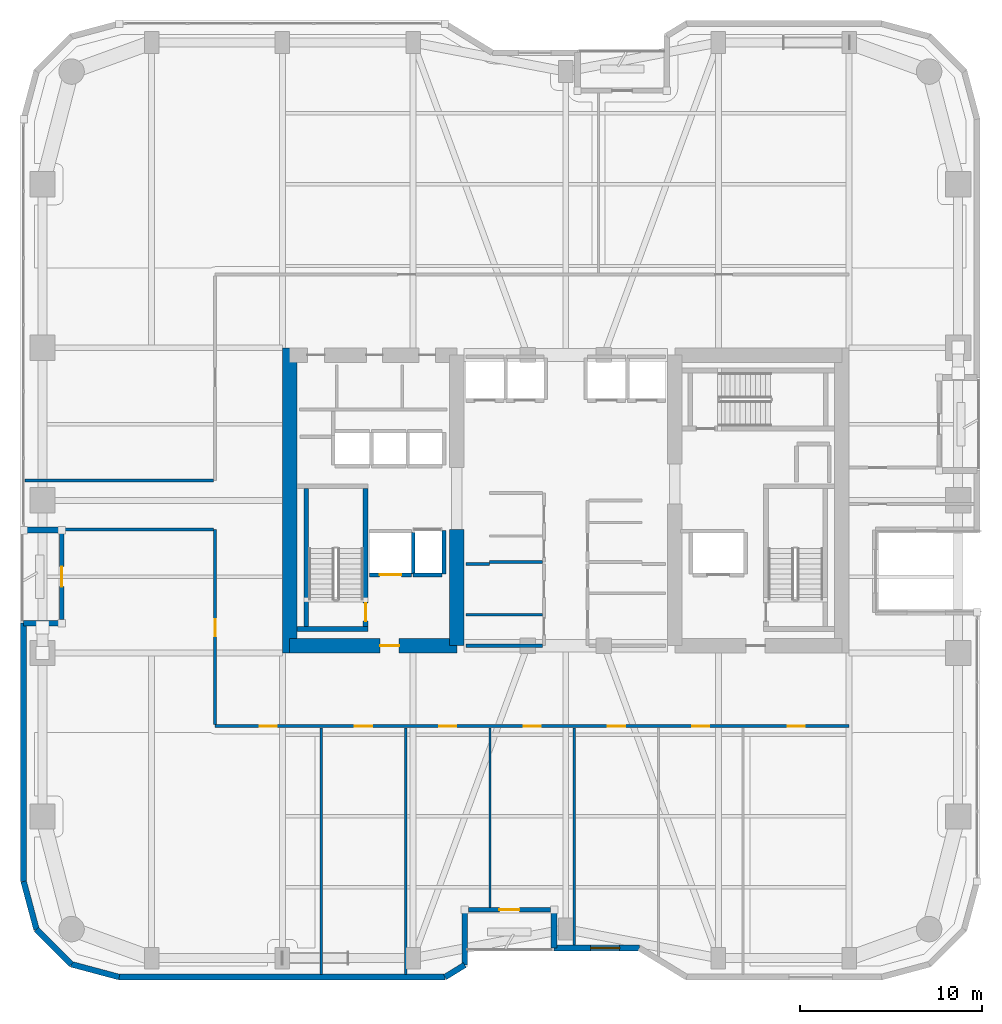
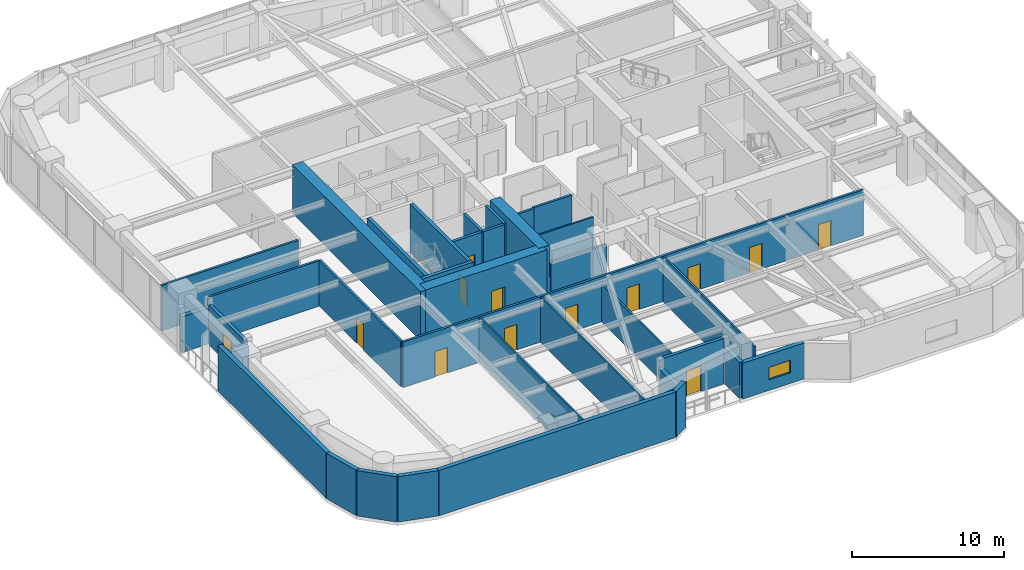
# One storey, part 18 of 24: 35 walls, 13 doors, 1 window, 14 openings.
"""IFC4 building model written with IfcOpenShell, lengths in metres."""

from ifc_helpers import new_model, si_unit, direction, frame, frame_2d, origin, place, context, subcontext, project, spatial, rectangle, extrude, material, layer, layer_set, type_object, element, fill, save


model = new_model("IFC4")

# Units and contexts
model_context = context("Model", 3, precision=1e-05, world=origin(), true_north=direction((0.0, 1.0)))
body_context = subcontext(model_context, "Body", "Model", "MODEL_VIEW")
ifc_project = project(units=[si_unit("LENGTHUNIT", "METRE"), si_unit("AREAUNIT", "SQUARE_METRE"), si_unit("VOLUMEUNIT", "CUBIC_METRE"), si_unit("PLANEANGLEUNIT", "RADIAN"), si_unit("MASSUNIT", "GRAM", prefix="KILO")], contexts=[model_context])

# Site, building, storey
site_placement = place(None, origin())
site = spatial("IfcSite", under=ifc_project, at=site_placement, CompositionType="ELEMENT")
building_placement = place(site_placement, origin())
building = spatial("IfcBuilding", under=site, at=building_placement, Name="Kiyonajd Concourse Tower", CompositionType="ELEMENT")
storey_placement = place(building_placement, frame((0.0, 0.0, 129.89990234375)))
storey = spatial("IfcBuildingStorey", under=building, at=storey_placement, Name="L33", CompositionType="ELEMENT", Elevation=129.89990234375)

# Walls
ifc_material_1 = material(Name="Concrete C70/85", Category="concrete")
ifc_layer_1 = layer(ifc_material_1, 0.800048828125)
ifc_layer_set_1 = layer_set([ifc_layer_1], Name="Concrete C70/85")
wall_type_1 = type_object("IfcWallType", Name="WL-CORE-800", PredefinedType="SHEAR", material=ifc_layer_set_1)
wall_1_placement = place(storey_placement, frame((32.800048828125, 27.60009765625, 0.0), z_axis=(0.0, 0.0, 1.0), x_axis=(0.0, 1.0, 0.0)))
element("IfcWall", 1, at=wall_1_placement, inside=storey, type_object=wall_type_1, Name="L33 West Core Outer Shear Wall", PredefinedType="SHEAR", context=body_context, shape_type="SweptSolid", body=[
    extrude(rectangle(XDim=16.7998046875, YDim=0.800048828125, at=frame_2d((8.39990234375, 0.0))), origin(), (0.0, 0.0, 1.0), 3.900146484375),
])
wall_2_placement = place(storey_placement, frame((42.0, 28.0, 0.0), z_axis=(0.0, 0.0, 1.0), x_axis=(0.0, 1.0, 0.0)))
element("IfcWall", 2, at=wall_2_placement, inside=storey, type_object=wall_type_1, Name="L33 West Core Inner South Shear Wall", PredefinedType="SHEAR", context=body_context, shape_type="SweptSolid", body=[
    extrude(rectangle(XDim=6.39990234375, YDim=0.800048828125, at=frame_2d((3.199951171875, 0.0))), origin(), (0.0, 0.0, 1.0), 3.900146484375),
])

# Wall, opening, door
wall_3_placement = place(storey_placement, frame((32.800048828125, 28.0, 0.0), z_axis=(0.0, 0.0, 1.0), x_axis=(1.0, 0.0, 0.0)))
wall_3 = element("IfcWall", 3, at=wall_3_placement, inside=storey, type_object=wall_type_1, Name="L33 West Core South Shear Wall", PredefinedType="SHEAR", context=body_context, shape_type="SweptSolid", body=[
    extrude(rectangle(XDim=9.199951171875, YDim=0.800048828125, at=frame_2d((4.60009765625, 0.0))), origin(), (0.0, 0.0, 1.0), 3.900146484375),
])
opening_1_placement = place(wall_3_placement, frame((4.97509765625, 0.0, 0.0)))
opening_1 = element("IfcOpeningElement", 4, at=opening_1_placement, cuts=wall_3, Name="Opening DF5", PredefinedType="OPENING", context=body_context, shape_type="SweptSolid", body=[
    extrude(rectangle(XDim=1.050048828125, YDim=2.0400390625, at=frame_2d((0.52490234375, 1.02001953125))), frame((0.0, 0.409912109375, 0.0), z_axis=(0.0, -1.0, 0.0), x_axis=(1.0, 0.0, 0.0)), (0.0, 0.0, 1.0), 0.820068359375),
])
ifc_material_2 = material(Name="Brushed Stainless Steel Cab Assembly", Category="steel")
door_type_1 = type_object("IfcDoorType", Name="DR-FD45-1050", OperationType="NOTDEFINED", PredefinedType="DOOR", material=ifc_material_2)
door_1_placement = place(opening_1_placement, origin())
door_1 = element("IfcDoor", 5, at=door_1_placement, inside=storey, type_object=door_type_1, Name="L33 Firefighting Lift Lobby W Smoke Door", OperationType="SINGLE_SWING_LEFT", OverallHeight=2.0400390625, OverallWidth=1.050048828125, PredefinedType="DOOR", context=body_context, shape_type="SweptSolid", body=[
    extrude(rectangle(XDim=1.050048828125, YDim=2.0400390625, at=frame_2d((0.52490234375, 1.02001953125))), frame((0.0, 0.02490234375, 0.0), z_axis=(0.0, -1.0, 0.0), x_axis=(1.0, 0.0, 0.0)), (0.0, 0.0, 1.0), 0.050048828125),
])
fill(opening_1, door_1)

# Walls
ifc_material_3 = material(Name="Precast concrete C50/60", Category="concrete")
ifc_layer_2 = layer(ifc_material_3, 0.320068359375)
ifc_layer_set_2 = layer_set([ifc_layer_2], Name="Precast concrete C50/60")
wall_type_2 = type_object("IfcWallType", Name="WL-EXT-320", PredefinedType="SOLIDWALL", material=ifc_layer_set_2)
wall_4_placement = place(storey_placement, frame((18.159912109375, 15.02099609375, 0.0), z_axis=(0.0, 0.0, 1.0), x_axis=(0.0, 1.0, 0.0)))
element("IfcWall", 6, at=wall_4_placement, inside=storey, type_object=wall_type_2, Name="L33 Exterior Concrete Frame Wall 00", PredefinedType="SOLIDWALL", context=body_context, shape_type="SweptSolid", body=[
    extrude(rectangle(XDim=14.218994140625, YDim=0.320068359375, at=frame_2d((7.109375, 0.0))), origin(), (0.0, 0.0, 1.0), 3.64013671875),
])
for number, where, z_axis, x_axis, name in (
    (7, (18.159912109375, 29.239990234375, 0.0), (0.0, 0.0, 1.0), (1.0, 0.0, 0.0), "L33 Exterior Concrete Frame Wall 01"),
    (8, (20.260009765625, 34.360107421875, 0.0), (0.0, 0.0, 1.0), (-1.0, 0.0, 0.0), "L33 Exterior Concrete Frame Wall 03"),
):
    element("IfcWall", number, at=place(storey_placement, frame(where, z_axis=z_axis, x_axis=x_axis)), inside=storey, type_object=wall_type_2, Name=name, PredefinedType="SOLIDWALL", context=body_context, shape_type="SweptSolid", body=[
        extrude(rectangle(XDim=2.10009765625, YDim=0.320068359375, at=frame_2d((1.050048828125, 0.0))), origin(), (0.0, 0.0, 1.0), 2.875),
    ])

# Wall, opening, window
wall_5_placement = place(storey_placement, frame((52.04541015625, 11.360107421875, 0.0), z_axis=(0.0, 0.0, 1.0), x_axis=(-1.0, 0.0, 0.0)))
wall_5 = element("IfcWall", 9, at=wall_5_placement, inside=storey, type_object=wall_type_2, Name="L33 Exterior Concrete Frame Wall 33", PredefinedType="SOLIDWALL", context=body_context, shape_type="SweptSolid", body=[
    extrude(rectangle(XDim=4.685302734375, YDim=0.320068359375, at=frame_2d((2.3427734375, 0.0))), origin(), (0.0, 0.0, 1.0), 2.875),
])
opening_2_placement = place(wall_5_placement, frame((1.0830078125, 0.0, 0.85009765625)))
opening_2 = element("IfcOpeningElement", 10, at=opening_2_placement, cuts=wall_5, Name="Opening WN6", PredefinedType="OPENING", context=body_context, shape_type="SweptSolid", body=[
    extrude(rectangle(XDim=1.60009765625, YDim=1.0, at=frame_2d((0.800048828125, 0.5))), frame((0.0, 0.169921875, 0.0), z_axis=(0.0, -1.0, 0.0), x_axis=(1.0, 0.0, 0.0)), (0.0, 0.0, 1.0), 0.340087890625),
])
ifc_material_4 = material(Name="Double Low-E Insulated Glass", Category="glass")
window_type = type_object("IfcWindowType", Name="WN-VIS-1600x1000", PartitioningType="SINGLE_PANEL", PredefinedType="WINDOW", material=ifc_material_4)
window_placement = place(opening_2_placement, origin())
window = element("IfcWindow", 11, at=window_placement, inside=storey, type_object=window_type, Name="L33 Modular Facade Vision Window 33", OverallHeight=1.0, OverallWidth=1.60009765625, PartitioningType="SINGLE_PANEL", PredefinedType="WINDOW", context=body_context, shape_type="SweptSolid", body=[
    extrude(rectangle(XDim=1.60009765625, YDim=1.0, at=frame_2d((0.800048828125, 0.5))), frame((0.0, 0.030029296875, 0.0), z_axis=(0.0, -1.0, 0.0), x_axis=(1.0, 0.0, 0.0)), (0.0, 0.0, 1.0), 0.06005859375),
])
fill(opening_2, window)

# Walls
wall_6_placement = place(storey_placement, frame((47.360107421875, 11.360107421875, 0.0), z_axis=(0.0, 0.0, 1.0), x_axis=(0.0, 1.0, 0.0)))
element("IfcWall", 12, at=wall_6_placement, inside=storey, type_object=wall_type_2, Name="L33 Exterior Concrete Frame Wall 34", PredefinedType="SOLIDWALL", context=body_context, shape_type="SweptSolid", body=[
    extrude(rectangle(XDim=2.099853515625, YDim=0.320068359375, at=frame_2d((1.0498046875, 0.0))), origin(), (0.0, 0.0, 1.0), 2.875),
])
wall_7_placement = place(storey_placement, frame((42.43994140625, 13.4599609375, 0.0), z_axis=(0.0, 0.0, 1.0), x_axis=(0.0, -1.0, 0.0)))
element("IfcWall", 13, at=wall_7_placement, inside=storey, type_object=wall_type_2, Name="L33 Exterior Concrete Frame Wall 36", PredefinedType="SOLIDWALL", context=body_context, shape_type="SweptSolid", body=[
    extrude(rectangle(XDim=3.032470703125, YDim=0.320068359375, at=frame_2d((1.51611328125, 0.0))), origin(), (0.0, 0.0, 1.0), 2.875),
])
wall_8_placement = place(storey_placement, frame((42.43994140625, 10.427490234375, 0.0), z_axis=(0.0, 0.0, 1.0), x_axis=(-0.851776724646, -0.523904964045, 0.0)))
element("IfcWall", 14, at=wall_8_placement, inside=storey, type_object=wall_type_2, Name="L33 Exterior Concrete Frame Wall 37", PredefinedType="SOLIDWALL", context=body_context, shape_type="SweptSolid", body=[
    extrude(rectangle(XDim=1.274169921875, YDim=0.320068359375, at=frame_2d((0.63720703125, 0.0))), origin(), (0.0, 0.0, 1.0), 3.64013671875),
])
wall_9_placement = place(storey_placement, frame((41.354736328125, 9.760009765625, 0.0), z_axis=(0.0, 0.0, 1.0), x_axis=(-1.0, 0.0, 0.0)))
element("IfcWall", 15, at=wall_9_placement, inside=storey, type_object=wall_type_2, Name="L33 Exterior Concrete Frame Wall 38", PredefinedType="SOLIDWALL", context=body_context, shape_type="SweptSolid", body=[
    extrude(rectangle(XDim=17.93359375, YDim=0.320068359375, at=frame_2d((8.966796875, 0.0))), origin(), (0.0, 0.0, 1.0), 3.64013671875),
])
wall_10_placement = place(storey_placement, frame((23.421142578125, 9.760009765625, 0.0), z_axis=(0.0, 0.0, 1.0), x_axis=(-0.965964405026, 0.25867502435, 0.0)))
element("IfcWall", 16, at=wall_10_placement, inside=storey, type_object=wall_type_2, Name="L33 Exterior Concrete Frame Wall 39", PredefinedType="SOLIDWALL", context=body_context, shape_type="SweptSolid", body=[
    extrude(rectangle(XDim=2.7314453125, YDim=0.320068359375, at=frame_2d((1.36572265625, 0.0))), origin(), (0.0, 0.0, 1.0), 3.64013671875),
])
wall_11_placement = place(storey_placement, frame((20.78271484375, 10.466552734375, 0.0), z_axis=(0.0, 0.0, 1.0), x_axis=(-0.707106781187, 0.707106781187, 0.0)))
element("IfcWall", 17, at=wall_11_placement, inside=storey, type_object=wall_type_2, Name="L33 Exterior Concrete Frame Wall 40", PredefinedType="SOLIDWALL", context=body_context, shape_type="SweptSolid", body=[
    extrude(rectangle(XDim=2.7099609375, YDim=0.320068359375, at=frame_2d((1.35498046875, 0.0))), origin(), (0.0, 0.0, 1.0), 3.64013671875),
])
wall_12_placement = place(storey_placement, frame((18.866455078125, 12.3828125, 0.0), z_axis=(0.0, 0.0, 1.0), x_axis=(-0.25869736047, 0.965958423373, 0.0)))
element("IfcWall", 18, at=wall_12_placement, inside=storey, type_object=wall_type_2, Name="L33 Exterior Concrete Frame Wall 41", PredefinedType="SOLIDWALL", context=body_context, shape_type="SweptSolid", body=[
    extrude(rectangle(XDim=2.731201171875, YDim=0.320068359375, at=frame_2d((1.36572265625, 0.0))), origin(), (0.0, 0.0, 1.0), 3.64013671875),
])

# Wall, opening, door
ifc_layer_3 = layer(ifc_material_3, 0.239990234375)
ifc_layer_set_3 = layer_set([ifc_layer_3], Name="Precast concrete C50/60")
wall_type_3 = type_object("IfcWallType", Name="WL-LOG-240", PredefinedType="SOLIDWALL", material=ifc_layer_set_3)
wall_13_placement = place(storey_placement, frame((20.260009765625, 29.43505859375, 0.0), z_axis=(0.0, 0.0, 1.0), x_axis=(0.0, 1.0, 0.0)))
wall_13 = element("IfcWall", 19, at=wall_13_placement, inside=storey, type_object=wall_type_3, Name="L33 Recessed Loggia Thermal Wall LOG-W", PredefinedType="SOLIDWALL", context=body_context, shape_type="SweptSolid", body=[
    extrude(rectangle(XDim=4.72998046875, YDim=0.239990234375, at=frame_2d((2.364990234375, 0.0))), origin(), (0.0, 0.0, 1.0), 3.162109375),
])
opening_3_placement = place(wall_13_placement, frame((1.81494140625, 0.0, 0.0)))
opening_3 = element("IfcOpeningElement", 20, at=opening_3_placement, cuts=wall_13, Name="Opening DL2", PredefinedType="OPENING", context=body_context, shape_type="SweptSolid", body=[
    extrude(rectangle(XDim=1.10009765625, YDim=2.0400390625, at=frame_2d((0.550048828125, 1.02001953125))), frame((0.0, 0.1298828125, 0.0), z_axis=(0.0, -1.0, 0.0), x_axis=(1.0, 0.0, 0.0)), (0.0, 0.0, 1.0), 0.260009765625),
])
ifc_material_5 = material(Name="Thermally Broken Anodised Aluminium", Category="aluminium")
door_type_2 = type_object("IfcDoorType", Name="DR-LOG-1100", OperationType="NOTDEFINED", PredefinedType="DOOR", material=ifc_material_5)
door_2_placement = place(opening_3_placement, origin())
door_2 = element("IfcDoor", 21, at=door_2_placement, inside=storey, type_object=door_type_2, Name="L33 Engawa Loggia Access Door LOG-W", OperationType="SINGLE_SWING_LEFT", OverallHeight=2.0400390625, OverallWidth=1.10009765625, PredefinedType="DOOR", context=body_context, shape_type="SweptSolid", body=[
    extrude(rectangle(XDim=1.10009765625, YDim=2.0400390625, at=frame_2d((0.550048828125, 1.02001953125))), frame((0.0, 0.02490234375, 0.0), z_axis=(0.0, -1.0, 0.0), x_axis=(1.0, 0.0, 0.0)), (0.0, 0.0, 1.0), 0.050048828125),
])
fill(opening_3, door_2)

wall_14_placement = place(storey_placement, frame((47.1650390625, 13.4599609375, 0.0), z_axis=(0.0, 0.0, 1.0), x_axis=(-1.0, 0.0, 0.0)))
wall_14 = element("IfcWall", 22, at=wall_14_placement, inside=storey, type_object=wall_type_3, Name="L33 Recessed Loggia Thermal Wall LOG-S", PredefinedType="SOLIDWALL", context=body_context, shape_type="SweptSolid", body=[
    extrude(rectangle(XDim=4.530029296875, YDim=0.239990234375, at=frame_2d((2.26513671875, 0.0))), origin(), (0.0, 0.0, 1.0), 3.64013671875),
])
opening_4_placement = place(wall_14_placement, frame((1.715087890625, 0.0, 0.0)))
opening_4 = element("IfcOpeningElement", 23, at=opening_4_placement, cuts=wall_14, Name="Opening DL2", PredefinedType="OPENING", context=body_context, shape_type="SweptSolid", body=[
    extrude(rectangle(XDim=1.10009765625, YDim=2.0400390625, at=frame_2d((0.550048828125, 1.02001953125))), frame((0.0, 0.1298828125, 0.0), z_axis=(0.0, -1.0, 0.0), x_axis=(1.0, 0.0, 0.0)), (0.0, 0.0, 1.0), 0.260009765625),
])
door_3_placement = place(opening_4_placement, origin())
door_3 = element("IfcDoor", 24, at=door_3_placement, inside=storey, type_object=door_type_2, Name="L33 Engawa Loggia Access Door LOG-S", OperationType="SINGLE_SWING_RIGHT", OverallHeight=2.0400390625, OverallWidth=1.10009765625, PredefinedType="DOOR", context=body_context, shape_type="SweptSolid", body=[
    extrude(rectangle(XDim=1.10009765625, YDim=2.0400390625, at=frame_2d((0.550048828125, 1.02001953125))), frame((0.0, 0.02490234375, 0.0), z_axis=(0.0, -1.0, 0.0), x_axis=(1.0, 0.0, 0.0)), (0.0, 0.0, 1.0), 0.050048828125),
])
fill(opening_4, door_3)

# Walls
ifc_material_6 = material(Name="Gypsum Board on Cold-Formed Steel Stud", Category="steel")
ifc_layer_4 = layer(ifc_material_6, 0.125)
ifc_layer_set_4 = layer_set([ifc_layer_4], Name="Gypsum Board on Cold-Formed Steel Stud")
wall_type_4 = type_object("IfcWallType", Name="WL-PART-125", PredefinedType="PARTITIONING", material=ifc_layer_set_4)
wall_15_placement = place(storey_placement, frame((42.5, 29.7099609375, 0.0), z_axis=(0.0, 0.0, 1.0), x_axis=(1.0, 0.0, 0.0)))
element("IfcWall", 25, at=wall_15_placement, inside=storey, type_object=wall_type_4, Name="L33 Interior Partition Wall", PredefinedType="PARTITIONING", context=body_context, shape_type="SweptSolid", body=[
    extrude(rectangle(XDim=4.212890625, YDim=0.125, at=frame_2d((2.1064453125, 0.0))), origin(), (0.0, 0.0, 1.0), 3.64013671875),
])
for number, where, z_axis, x_axis, name in (
    (26, (34.5400390625, 9.9150390625, 0.0), (0.0, 0.0, 1.0), (0.0, 1.0, 0.0), "L33 Interior Partition Wall"),
    (27, (39.18994140625, 9.9150390625, 0.0), (0.0, 0.0, 1.0), (0.0, 1.0, 0.0), "L33 Interior Partition Wall"),
):
    element("IfcWall", number, at=place(storey_placement, frame(where, z_axis=z_axis, x_axis=x_axis)), inside=storey, type_object=wall_type_4, Name=name, PredefinedType="PARTITIONING", context=body_context, shape_type="SweptSolid", body=[
        extrude(rectangle(XDim=13.56787109375, YDim=0.125, at=frame_2d((6.783935546875, 0.0))), origin(), (0.0, 0.0, 1.0), 3.64013671875),
    ])
wall_16_placement = place(storey_placement, frame((43.830078125, 13.574951171875, 0.0), z_axis=(0.0, 0.0, 1.0), x_axis=(0.0, 1.0, 0.0)))
element("IfcWall", 28, at=wall_16_placement, inside=storey, type_object=wall_type_4, Name="L33 Interior Partition Wall", PredefinedType="PARTITIONING", context=body_context, shape_type="SweptSolid", body=[
    extrude(rectangle(XDim=9.907958984375, YDim=0.125, at=frame_2d((4.9541015625, 0.0))), origin(), (0.0, 0.0, 1.0), 3.003173828125),
])
wall_17_placement = place(storey_placement, frame((48.469970703125, 11.514892578125, 0.0), z_axis=(0.0, 0.0, 1.0), x_axis=(0.0, 1.0, 0.0)))
element("IfcWall", 29, at=wall_17_placement, inside=storey, type_object=wall_type_4, Name="L33 Interior Partition Wall", PredefinedType="PARTITIONING", context=body_context, shape_type="SweptSolid", body=[
    extrude(rectangle(XDim=11.968017578125, YDim=0.125, at=frame_2d((5.98388671875, 0.0))), origin(), (0.0, 0.0, 1.0), 3.64013671875),
])

# Wall, opening, door
ifc_layer_5 = layer(ifc_material_6, 0.2099609375)
ifc_layer_set_5 = layer_set([ifc_layer_5], Name="Gypsum Board on Cold-Formed Steel Stud")
wall_type_5 = type_object("IfcWallType", Name="WL-SHAFT-210", PredefinedType="PARTITIONING", material=ifc_layer_set_5)
wall_18_placement = place(storey_placement, frame((37.199951171875, 31.89990234375, 0.0), z_axis=(0.0, 0.0, 1.0), x_axis=(1.0, 0.0, 0.0)))
wall_18 = element("IfcWall", 30, at=wall_18_placement, inside=storey, type_object=wall_type_5, Name="L33 Shaft Enclosure Wall", PredefinedType="PARTITIONING", context=body_context, shape_type="SweptSolid", body=[
    extrude(rectangle(XDim=2.300048828125, YDim=0.2099609375, at=frame_2d((1.14990234375, 0.0))), origin(), (0.0, 0.0, 1.0), 3.64013671875),
])
opening_5_placement = place(wall_18_placement, frame((0.550048828125, 0.0, 0.0)))
opening_5 = element("IfcOpeningElement", 31, at=opening_5_placement, cuts=wall_18, Name="Opening LD2", PredefinedType="OPENING", context=body_context, shape_type="SweptSolid", body=[
    extrude(rectangle(XDim=1.199951171875, YDim=2.0400390625, at=frame_2d((0.60009765625, 1.02001953125))), frame((0.0, 0.114990234375, 0.0), z_axis=(0.0, -1.0, 0.0), x_axis=(1.0, 0.0, 0.0)), (0.0, 0.0, 1.0), 0.22998046875),
])
door_type_3 = type_object("IfcDoorType", Name="DR-LD-1200", OperationType="DOUBLE_DOOR_SLIDING", PredefinedType="DOOR", material=ifc_material_2)
door_4_placement = place(opening_5_placement, origin())
door_4 = element("IfcDoor", 32, at=door_4_placement, inside=storey, type_object=door_type_3, Name="L33 Lift FFL1 Sliding Landing Door", OperationType="DOUBLE_DOOR_SLIDING", OverallHeight=2.0400390625, OverallWidth=1.199951171875, PredefinedType="DOOR", context=body_context, shape_type="SweptSolid", body=[
    extrude(rectangle(XDim=1.199951171875, YDim=2.0400390625, at=frame_2d((0.60009765625, 1.02001953125))), frame((0.0, 0.02490234375, 0.0), z_axis=(0.0, -1.0, 0.0), x_axis=(1.0, 0.0, 0.0)), (0.0, 0.0, 1.0), 0.050048828125),
])
fill(opening_5, door_4)

# Walls
wall_19_placement = place(storey_placement, frame((39.60009765625, 31.9599609375, 0.0), z_axis=(0.0, 0.0, 1.0), x_axis=(0.0, 1.0, 0.0)))
element("IfcWall", 33, at=wall_19_placement, inside=storey, type_object=wall_type_5, Name="L33 Shaft Enclosure Wall", PredefinedType="PARTITIONING", context=body_context, shape_type="SweptSolid", body=[
    extrude(rectangle(XDim=2.280029296875, YDim=0.2099609375, at=frame_2d((1.14013671875, 0.0))), origin(), (0.0, 0.0, 1.0), 3.64013671875),
])
wall_20_placement = place(storey_placement, frame((39.60009765625, 31.89990234375, 0.0), z_axis=(0.0, 0.0, 1.0), x_axis=(1.0, 0.0, 0.0)))
element("IfcWall", 34, at=wall_20_placement, inside=storey, type_object=wall_type_5, Name="L33 Shaft Enclosure Wall", PredefinedType="PARTITIONING", context=body_context, shape_type="SweptSolid", body=[
    extrude(rectangle(XDim=1.599853515625, YDim=0.2099609375, at=frame_2d((0.7998046875, 0.0))), origin(), (0.0, 0.0, 1.0), 3.64013671875),
])
wall_21_placement = place(storey_placement, frame((41.300048828125, 31.9599609375, 0.0), z_axis=(0.0, 0.0, 1.0), x_axis=(0.0, 1.0, 0.0)))
element("IfcWall", 35, at=wall_21_placement, inside=storey, type_object=wall_type_5, Name="L33 Shaft Enclosure Wall", PredefinedType="PARTITIONING", context=body_context, shape_type="SweptSolid", body=[
    extrude(rectangle(XDim=2.380126953125, YDim=0.2099609375, at=frame_2d((1.18994140625, 0.0))), origin(), (0.0, 0.0, 1.0), 3.64013671875),
])
ifc_layer_6 = layer(ifc_material_6, 0.169921875)
ifc_layer_set_6 = layer_set([ifc_layer_6], Name="Gypsum Board on Cold-Formed Steel Stud")
wall_type_6 = type_object("IfcWallType", Name="WL-SMK-170", PredefinedType="PARTITIONING", material=ifc_layer_set_6)
wall_22_placement = place(storey_placement, frame((43.800048828125, 32.60009765625, 0.0), z_axis=(0.0, 0.0, 1.0), x_axis=(1.0, 0.0, 0.0)))
element("IfcWall", 36, at=wall_22_placement, inside=storey, type_object=wall_type_6, Name="L33 Interior Partition Wall", PredefinedType="PARTITIONING", context=body_context, shape_type="SweptSolid", body=[
    extrude(rectangle(XDim=2.912841796875, YDim=0.169921875, at=frame_2d((1.45654296875, 0.0))), origin(), (0.0, 0.0, 1.0), 3.64013671875),
])
wall_23_placement = place(storey_placement, frame((42.5, 28.0, 0.0), z_axis=(0.0, 0.0, 1.0), x_axis=(1.0, 0.0, 0.0)))
element("IfcWall", 37, at=wall_23_placement, inside=storey, type_object=wall_type_6, Name="L33 Interior Partition Wall", PredefinedType="PARTITIONING", context=body_context, shape_type="SweptSolid", body=[
    extrude(rectangle(XDim=4.212890625, YDim=0.169921875, at=frame_2d((2.1064453125, 0.0))), origin(), (0.0, 0.0, 1.0), 2.525146484375),
])
wall_24_placement = place(storey_placement, frame((42.5, 32.5, 0.0), z_axis=(0.0, 0.0, 1.0), x_axis=(1.0, 0.0, 0.0)))
element("IfcWall", 38, at=wall_24_placement, inside=storey, type_object=wall_type_6, Name="L33 Interior Partition Wall", PredefinedType="PARTITIONING", context=body_context, shape_type="SweptSolid", body=[
    extrude(rectangle(XDim=1.300048828125, YDim=0.169921875, at=frame_2d((0.64990234375, 0.0))), origin(), (0.0, 0.0, 1.0), 3.64013671875),
])

# Wall, openings, doors
wall_25_placement = place(storey_placement, frame((28.699951171875, 23.570068359375, 0.0), z_axis=(0.0, 0.0, 1.0), x_axis=(1.0, 0.0, 0.0)))
wall_25 = element("IfcWall", 39, at=wall_25_placement, inside=storey, type_object=wall_type_6, Name="L33 Interior Partition Wall", PredefinedType="PARTITIONING", context=body_context, shape_type="SweptSolid", body=[
    extrude(rectangle(XDim=34.900146484375, YDim=0.169921875, at=frame_2d((17.4501953125, 0.0))), origin(), (0.0, 0.0, 1.0), 3.64013671875),
])
opening_6_placement = place(wall_25_placement, frame((2.445068359375, 0.0, 0.0)))
opening_6 = element("IfcOpeningElement", 40, at=opening_6_placement, cuts=wall_25, Name="Opening DI1", PredefinedType="OPENING", context=body_context, shape_type="SweptSolid", body=[
    extrude(rectangle(XDim=0.949951171875, YDim=2.0400390625, at=frame_2d((0.47509765625, 1.02001953125))), frame((0.0, 0.094970703125, 0.0), z_axis=(0.0, -1.0, 0.0), x_axis=(1.0, 0.0, 0.0)), (0.0, 0.0, 1.0), 0.18994140625),
])
opening_7_placement = place(wall_25_placement, frame((7.68994140625, 0.0, 0.0)))
opening_7 = element("IfcOpeningElement", 41, at=opening_7_placement, cuts=wall_25, Name="Opening DI1", PredefinedType="OPENING", context=body_context, shape_type="SweptSolid", body=[
    extrude(rectangle(XDim=0.949951171875, YDim=2.0400390625, at=frame_2d((0.47509765625, 1.02001953125))), frame((0.0, 0.094970703125, 0.0), z_axis=(0.0, -1.0, 0.0), x_axis=(1.0, 0.0, 0.0)), (0.0, 0.0, 1.0), 0.18994140625),
])
opening_8_placement = place(wall_25_placement, frame((12.3349609375, 0.0, 0.0)))
opening_8 = element("IfcOpeningElement", 42, at=opening_8_placement, cuts=wall_25, Name="Opening DI1", PredefinedType="OPENING", context=body_context, shape_type="SweptSolid", body=[
    extrude(rectangle(XDim=0.949951171875, YDim=2.0400390625, at=frame_2d((0.47509765625, 1.02001953125))), frame((0.0, 0.094970703125, 0.0), z_axis=(0.0, -1.0, 0.0), x_axis=(1.0, 0.0, 0.0)), (0.0, 0.0, 1.0), 0.18994140625),
])
opening_9_placement = place(wall_25_placement, frame((16.97509765625, 0.0, 0.0)))
opening_9 = element("IfcOpeningElement", 43, at=opening_9_placement, cuts=wall_25, Name="Opening DI1", PredefinedType="OPENING", context=body_context, shape_type="SweptSolid", body=[
    extrude(rectangle(XDim=0.949951171875, YDim=2.0400390625, at=frame_2d((0.47509765625, 1.02001953125))), frame((0.0, 0.094970703125, 0.0), z_axis=(0.0, -1.0, 0.0), x_axis=(1.0, 0.0, 0.0)), (0.0, 0.0, 1.0), 0.18994140625),
])
opening_10_placement = place(wall_25_placement, frame((21.614990234375, 0.0, 0.0)))
opening_10 = element("IfcOpeningElement", 44, at=opening_10_placement, cuts=wall_25, Name="Opening DI1", PredefinedType="OPENING", context=body_context, shape_type="SweptSolid", body=[
    extrude(rectangle(XDim=0.949951171875, YDim=2.0400390625, at=frame_2d((0.47509765625, 1.02001953125))), frame((0.0, 0.094970703125, 0.0), z_axis=(0.0, -1.0, 0.0), x_axis=(1.0, 0.0, 0.0)), (0.0, 0.0, 1.0), 0.18994140625),
])
opening_11_placement = place(wall_25_placement, frame((26.260009765625, 0.0, 0.0)))
opening_11 = element("IfcOpeningElement", 45, at=opening_11_placement, cuts=wall_25, Name="Opening DI1", PredefinedType="OPENING", context=body_context, shape_type="SweptSolid", body=[
    extrude(rectangle(XDim=0.949951171875, YDim=2.0400390625, at=frame_2d((0.47509765625, 1.02001953125))), frame((0.0, 0.094970703125, 0.0), z_axis=(0.0, -1.0, 0.0), x_axis=(1.0, 0.0, 0.0)), (0.0, 0.0, 1.0), 0.18994140625),
])
opening_12_placement = place(wall_25_placement, frame((31.5048828125, 0.0, 0.0)))
opening_12 = element("IfcOpeningElement", 46, at=opening_12_placement, cuts=wall_25, Name="Opening DI1", PredefinedType="OPENING", context=body_context, shape_type="SweptSolid", body=[
    extrude(rectangle(XDim=0.949951171875, YDim=2.0400390625, at=frame_2d((0.47509765625, 1.02001953125))), frame((0.0, 0.094970703125, 0.0), z_axis=(0.0, -1.0, 0.0), x_axis=(1.0, 0.0, 0.0)), (0.0, 0.0, 1.0), 0.18994140625),
])
ifc_material_7 = material(Name="Natural Oak Acoustic Timber Veneer", Category="wood")
door_type_4 = type_object("IfcDoorType", Name="DR-INT-950", OperationType="NOTDEFINED", PredefinedType="DOOR", material=ifc_material_7)
door_5_placement = place(opening_6_placement, origin())
door_5 = element("IfcDoor", 47, at=door_5_placement, inside=storey, type_object=door_type_4, Name="L33 Interior Door", OperationType="SINGLE_SWING_LEFT", OverallHeight=2.0400390625, OverallWidth=0.949951171875, PredefinedType="DOOR", context=body_context, shape_type="SweptSolid", body=[
    extrude(rectangle(XDim=0.949951171875, YDim=2.0400390625, at=frame_2d((0.47509765625, 1.02001953125))), frame((0.0, 0.02490234375, 0.0), z_axis=(0.0, -1.0, 0.0), x_axis=(1.0, 0.0, 0.0)), (0.0, 0.0, 1.0), 0.050048828125),
])
fill(opening_6, door_5)
door_6_placement = place(opening_7_placement, origin())
door_6 = element("IfcDoor", 48, at=door_6_placement, inside=storey, type_object=door_type_4, Name="L33 Interior Door", OperationType="SINGLE_SWING_RIGHT", OverallHeight=2.0400390625, OverallWidth=0.949951171875, PredefinedType="DOOR", context=body_context, shape_type="SweptSolid", body=[
    extrude(rectangle(XDim=0.949951171875, YDim=2.0400390625, at=frame_2d((0.47509765625, 1.02001953125))), frame((0.0, 0.02490234375, 0.0), z_axis=(0.0, -1.0, 0.0), x_axis=(1.0, 0.0, 0.0)), (0.0, 0.0, 1.0), 0.050048828125),
])
fill(opening_7, door_6)
door_7_placement = place(opening_8_placement, origin())
door_7 = element("IfcDoor", 49, at=door_7_placement, inside=storey, type_object=door_type_4, Name="L33 Interior Door", OperationType="SINGLE_SWING_LEFT", OverallHeight=2.0400390625, OverallWidth=0.949951171875, PredefinedType="DOOR", context=body_context, shape_type="SweptSolid", body=[
    extrude(rectangle(XDim=0.949951171875, YDim=2.0400390625, at=frame_2d((0.47509765625, 1.02001953125))), frame((0.0, 0.02490234375, 0.0), z_axis=(0.0, -1.0, 0.0), x_axis=(1.0, 0.0, 0.0)), (0.0, 0.0, 1.0), 0.050048828125),
])
fill(opening_8, door_7)
door_8_placement = place(opening_9_placement, origin())
door_8 = element("IfcDoor", 50, at=door_8_placement, inside=storey, type_object=door_type_4, Name="L33 Interior Door", OperationType="SINGLE_SWING_RIGHT", OverallHeight=2.0400390625, OverallWidth=0.949951171875, PredefinedType="DOOR", context=body_context, shape_type="SweptSolid", body=[
    extrude(rectangle(XDim=0.949951171875, YDim=2.0400390625, at=frame_2d((0.47509765625, 1.02001953125))), frame((0.0, 0.02490234375, 0.0), z_axis=(0.0, -1.0, 0.0), x_axis=(1.0, 0.0, 0.0)), (0.0, 0.0, 1.0), 0.050048828125),
])
fill(opening_9, door_8)
door_9_placement = place(opening_10_placement, origin())
door_9 = element("IfcDoor", 51, at=door_9_placement, inside=storey, type_object=door_type_4, Name="L33 Interior Door", OperationType="SINGLE_SWING_LEFT", OverallHeight=2.0400390625, OverallWidth=0.949951171875, PredefinedType="DOOR", context=body_context, shape_type="SweptSolid", body=[
    extrude(rectangle(XDim=0.949951171875, YDim=2.0400390625, at=frame_2d((0.47509765625, 1.02001953125))), frame((0.0, 0.02490234375, 0.0), z_axis=(0.0, -1.0, 0.0), x_axis=(1.0, 0.0, 0.0)), (0.0, 0.0, 1.0), 0.050048828125),
])
fill(opening_10, door_9)
door_10_placement = place(opening_11_placement, origin())
door_10 = element("IfcDoor", 52, at=door_10_placement, inside=storey, type_object=door_type_4, Name="L33 Interior Door", OperationType="SINGLE_SWING_RIGHT", OverallHeight=2.0400390625, OverallWidth=0.949951171875, PredefinedType="DOOR", context=body_context, shape_type="SweptSolid", body=[
    extrude(rectangle(XDim=0.949951171875, YDim=2.0400390625, at=frame_2d((0.47509765625, 1.02001953125))), frame((0.0, 0.02490234375, 0.0), z_axis=(0.0, -1.0, 0.0), x_axis=(1.0, 0.0, 0.0)), (0.0, 0.0, 1.0), 0.050048828125),
])
fill(opening_11, door_10)
door_11_placement = place(opening_12_placement, origin())
door_11 = element("IfcDoor", 53, at=door_11_placement, inside=storey, type_object=door_type_4, Name="L33 Interior Door", OperationType="SINGLE_SWING_LEFT", OverallHeight=2.0400390625, OverallWidth=0.949951171875, PredefinedType="DOOR", context=body_context, shape_type="SweptSolid", body=[
    extrude(rectangle(XDim=0.949951171875, YDim=2.0400390625, at=frame_2d((0.47509765625, 1.02001953125))), frame((0.0, 0.02490234375, 0.0), z_axis=(0.0, -1.0, 0.0), x_axis=(1.0, 0.0, 0.0)), (0.0, 0.0, 1.0), 0.050048828125),
])
fill(opening_12, door_11)

# Wall, opening, door
wall_26_placement = place(storey_placement, frame((28.699951171875, 23.656982421875, 0.0), z_axis=(0.0, 0.0, 1.0), x_axis=(0.0, 1.0, 0.0)))
wall_26 = element("IfcWall", 54, at=wall_26_placement, inside=storey, type_object=wall_type_6, Name="L33 Interior Partition Wall", PredefinedType="PARTITIONING", context=body_context, shape_type="SweptSolid", body=[
    extrude(rectangle(XDim=10.742919921875, YDim=0.169921875, at=frame_2d((5.37158203125, 0.0))), origin(), (0.0, 0.0, 1.0), 3.64013671875),
])
opening_13_placement = place(wall_26_placement, frame((4.85302734375, 0.0, 0.0)))
opening_13 = element("IfcOpeningElement", 55, at=opening_13_placement, cuts=wall_26, Name="Opening DI1", PredefinedType="OPENING", context=body_context, shape_type="SweptSolid", body=[
    extrude(rectangle(XDim=0.949951171875, YDim=2.0400390625, at=frame_2d((0.47509765625, 1.02001953125))), frame((0.0, 0.094970703125, 0.0), z_axis=(0.0, -1.0, 0.0), x_axis=(1.0, 0.0, 0.0)), (0.0, 0.0, 1.0), 0.18994140625),
])
door_12_placement = place(opening_13_placement, origin())
door_12 = element("IfcDoor", 56, at=door_12_placement, inside=storey, type_object=door_type_4, Name="L33 Interior Door", OperationType="SINGLE_SWING_RIGHT", OverallHeight=2.0400390625, OverallWidth=0.949951171875, PredefinedType="DOOR", context=body_context, shape_type="SweptSolid", body=[
    extrude(rectangle(XDim=0.949951171875, YDim=2.0400390625, at=frame_2d((0.47509765625, 1.02001953125))), frame((0.0, 0.02490234375, 0.0), z_axis=(0.0, -1.0, 0.0), x_axis=(1.0, 0.0, 0.0)), (0.0, 0.0, 1.0), 0.050048828125),
])
fill(opening_13, door_12)

# Walls
wall_27_placement = place(storey_placement, frame((20.260009765625, 34.39990234375, 0.0), z_axis=(0.0, 0.0, 1.0), x_axis=(1.0, 0.0, 0.0)))
element("IfcWall", 57, at=wall_27_placement, inside=storey, type_object=wall_type_6, Name="L33 Interior Partition Wall", PredefinedType="PARTITIONING", context=body_context, shape_type="SweptSolid", body=[
    extrude(rectangle(XDim=8.35302734375, YDim=0.169921875, at=frame_2d((4.176513671875, 0.0))), origin(), (0.0, 0.0, 1.0), 3.64013671875),
])
wall_28_placement = place(storey_placement, frame((18.2451171875, 37.10009765625, 0.0), z_axis=(0.0, 0.0, 1.0), x_axis=(1.0, 0.0, 0.0)))
element("IfcWall", 58, at=wall_28_placement, inside=storey, type_object=wall_type_6, Name="L33 Interior Partition Wall", PredefinedType="PARTITIONING", context=body_context, shape_type="SweptSolid", body=[
    extrude(rectangle(XDim=10.367919921875, YDim=0.169921875, at=frame_2d((5.18408203125, 0.0))), origin(), (0.0, 0.0, 1.0), 3.64013671875),
])
ifc_material_8 = material(Name="Concrete C50/60", Category="concrete")
ifc_layer_7 = layer(ifc_material_8, 0.260009765625)
ifc_layer_set_7 = layer_set([ifc_layer_7], Name="Concrete C50/60")
wall_type_7 = type_object("IfcWallType", Name="WL-STAIR-260", PredefinedType="SHEAR", material=ifc_layer_set_7)
wall_29_placement = place(storey_placement, frame((33.199951171875, 28.919921875, 0.0), z_axis=(0.0, 0.0, 1.0), x_axis=(1.0, 0.0, 0.0)))
element("IfcWall", 59, at=wall_29_placement, inside=storey, type_object=wall_type_7, Name="L33 Stair ST1 Structural South Wall", PredefinedType="SHEAR", context=body_context, shape_type="SweptSolid", body=[
    extrude(rectangle(XDim=3.91015625, YDim=0.260009765625, at=frame_2d((1.955078125, 0.0))), origin(), (0.0, 0.0, 1.0), 3.900146484375),
])
wall_30_placement = place(storey_placement, frame((33.719970703125, 29.050048828125, 0.0), z_axis=(0.0, 0.0, 1.0), x_axis=(0.0, 1.0, 0.0)))
element("IfcWall", 60, at=wall_30_placement, inside=storey, type_object=wall_type_7, Name="L33 Stair ST1 Structural West Wall", PredefinedType="SHEAR", context=body_context, shape_type="SweptSolid", body=[
    extrude(rectangle(XDim=7.599853515625, YDim=0.260009765625, at=frame_2d((3.7998046875, 0.0))), origin(), (0.0, 0.0, 1.0), 3.900146484375),
])

# Wall, opening, door
wall_31_placement = place(storey_placement, frame((36.97998046875, 29.050048828125, 0.0), z_axis=(0.0, 0.0, 1.0), x_axis=(0.0, 1.0, 0.0)))
wall_31 = element("IfcWall", 61, at=wall_31_placement, inside=storey, type_object=wall_type_7, Name="L33 Stair ST1 Structural East Wall", PredefinedType="SHEAR", context=body_context, shape_type="SweptSolid", body=[
    extrude(rectangle(XDim=7.599853515625, YDim=0.260009765625, at=frame_2d((3.7998046875, 0.0))), origin(), (0.0, 0.0, 1.0), 3.900146484375),
])
opening_14_placement = place(wall_31_placement, frame((0.300048828125, 0.0, 0.0)))
opening_14 = element("IfcOpeningElement", 62, at=opening_14_placement, cuts=wall_31, Name="Opening DF1", PredefinedType="OPENING", context=body_context, shape_type="SweptSolid", body=[
    extrude(rectangle(XDim=1.0, YDim=2.0400390625, at=frame_2d((0.5, 1.02001953125))), frame((0.0, 0.139892578125, 0.0), z_axis=(0.0, -1.0, 0.0), x_axis=(1.0, 0.0, 0.0)), (0.0, 0.0, 1.0), 0.280029296875),
])
door_type_5 = type_object("IfcDoorType", Name="DR-FD90-1000", OperationType="NOTDEFINED", PredefinedType="DOOR", material=ifc_material_2)
door_13_placement = place(opening_14_placement, origin())
door_13 = element("IfcDoor", 63, at=door_13_placement, inside=storey, type_object=door_type_5, Name="L33 Stair ST1 FSAE Door", OperationType="SINGLE_SWING_LEFT", OverallHeight=2.0400390625, OverallWidth=1.0, PredefinedType="DOOR", context=body_context, shape_type="SweptSolid", body=[
    extrude(rectangle(XDim=1.0, YDim=2.0400390625, at=frame_2d((0.5, 1.02001953125))), frame((0.0, 0.02490234375, 0.0), z_axis=(0.0, -1.0, 0.0), x_axis=(1.0, 0.0, 0.0)), (0.0, 0.0, 1.0), 0.050048828125),
])
fill(opening_14, door_13)

save(model, "model.ifc")
